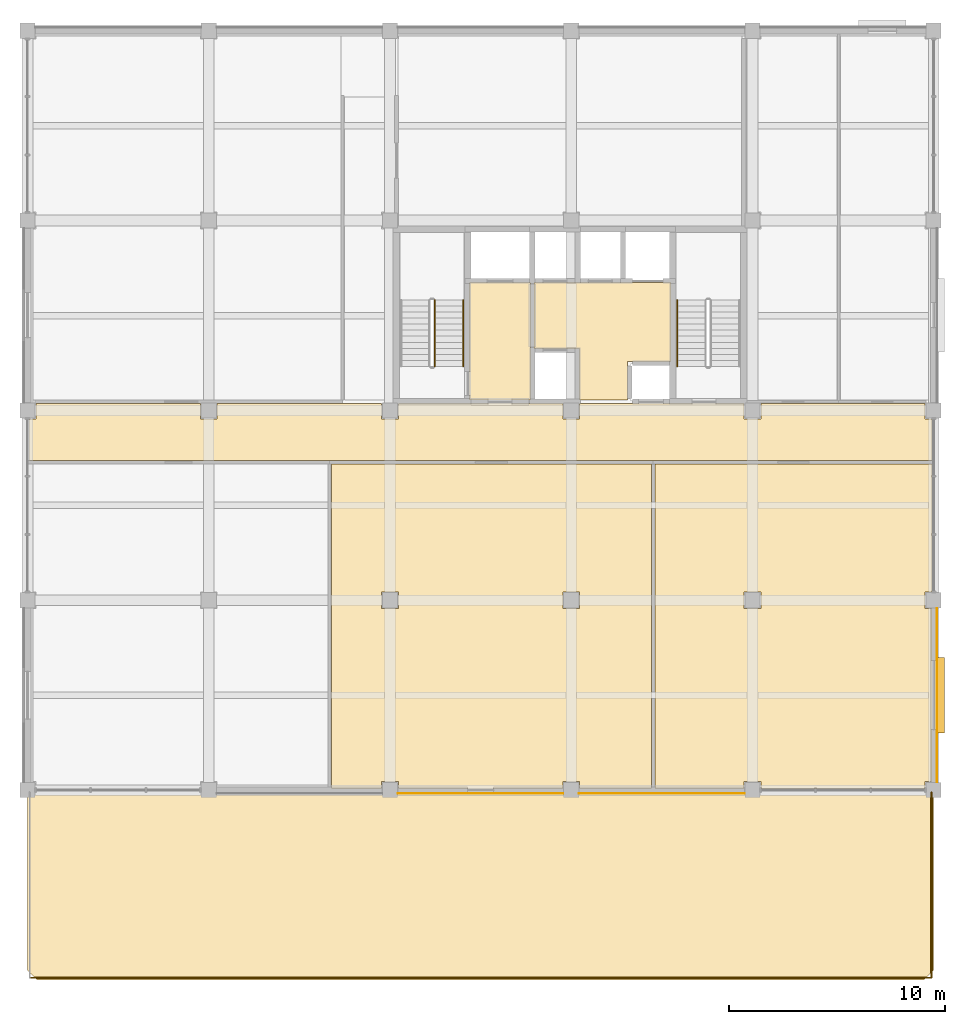
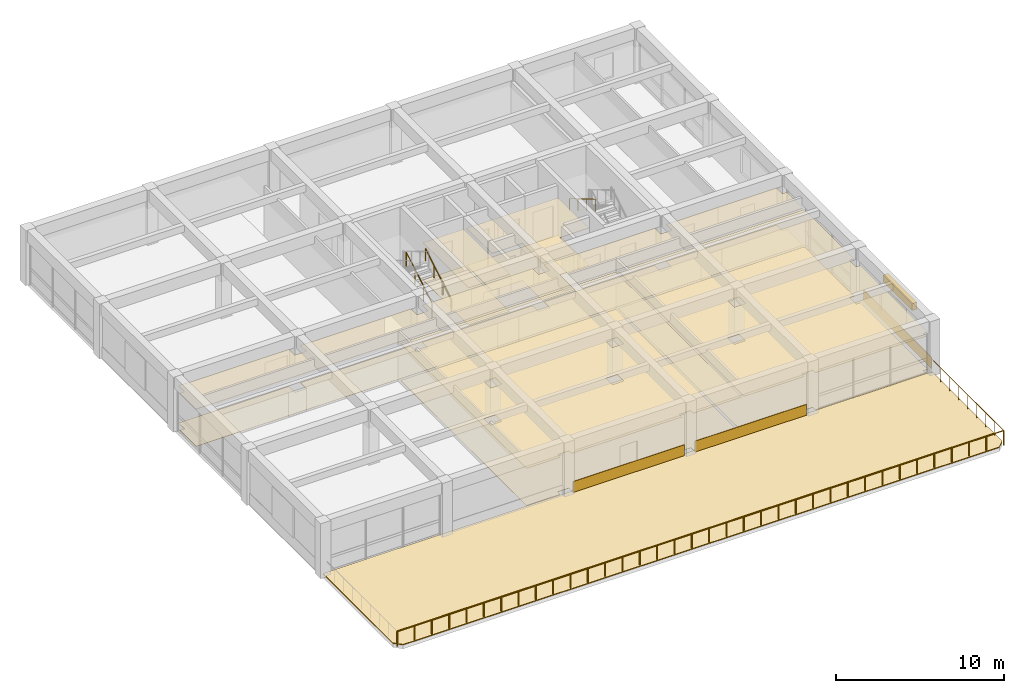
# One storey, part 7 of 8: 14 coverings, 5 railings, 1 shading device.
"""IFC4 building model written with IfcOpenShell, lengths in metres."""

from ifc_helpers import new_model, si_unit, direction, frame, origin, origin_2d, place, context, subcontext, project, spatial, polyline, rectangle, circle, outline, extrude, material, layer, layer_set, type_object, element, save


model = new_model("IFC4")

# Units and contexts
model_context = context("Model", 3, precision=1e-05, world=origin(), true_north=direction((0.0, 1.0)))
body_context = subcontext(model_context, "Body", "Model", "MODEL_VIEW")
ifc_project = project(units=[si_unit("LENGTHUNIT", "METRE"), si_unit("AREAUNIT", "SQUARE_METRE"), si_unit("VOLUMEUNIT", "CUBIC_METRE"), si_unit("PLANEANGLEUNIT", "RADIAN"), si_unit("MASSUNIT", "GRAM", prefix="KILO")], contexts=[model_context])

# Site, building, storey
site_placement = place(None, origin())
site = spatial("IfcSite", under=ifc_project, at=site_placement, CompositionType="ELEMENT")
building_placement = place(site_placement, origin())
building = spatial("IfcBuilding", under=site, at=building_placement, Name="Kemercrest Conservatory and Botanical Centre", CompositionType="ELEMENT")
storey_placement = place(building_placement, frame((0.0, 0.0, 24.800048828125)))
storey = spatial("IfcBuildingStorey", under=building, at=storey_placement, Name="L06", CompositionType="ELEMENT", Elevation=24.800048828125)

# Coverings
ifc_material_1 = material(Name="Glazed turquoise ceramic tile spandrel", Category="masonry")
ifc_layer_1 = layer(ifc_material_1, 0.028076171875)
ifc_layer_set_1 = layer_set([ifc_layer_1], Name="Glazed turquoise ceramic tile spandrel")
covering_type_1 = type_object("IfcCoveringType", Name="CV-CLD028", PredefinedType="CLADDING", material=ifc_layer_set_1)
covering_1_placement = place(storey_placement, origin())
element("IfcCovering", 1, at=covering_1_placement, inside=storey, type_object=covering_type_1, Name="Exterior stone spandrel cladding (WAL:L06:EXT-251)", PredefinedType="CLADDING", context=body_context, shape_type="SweptSolid", body=[
    extrude(outline(polyline([(151.159912109375, 87.050048828125), (151.159912109375, 87.02197265625), (158.840087890625, 87.02197265625), (158.840087890625, 87.050048828125), (151.159912109375, 87.050048828125)])), origin(), (0.0, 0.0, 1.0), 0.849853515625),
])
covering_2_placement = place(storey_placement, origin())
element("IfcCovering", 2, at=covering_2_placement, inside=storey, type_object=covering_type_1, Name="Exterior stone spandrel cladding (WAL:L06:EXT-252)", PredefinedType="CLADDING", context=body_context, shape_type="SweptSolid", body=[
    extrude(outline(polyline([(159.56005859375, 87.050048828125), (159.56005859375, 87.02197265625), (167.239990234375, 87.02197265625), (167.239990234375, 87.050048828125), (159.56005859375, 87.050048828125)])), origin(), (0.0, 0.0, 1.0), 0.849853515625),
])
covering_3_placement = place(storey_placement, origin())
element("IfcCovering", 3, at=covering_3_placement, inside=storey, type_object=covering_type_1, Name="Exterior stone spandrel cladding (WAL:L06:EXT-253)", PredefinedType="CLADDING", context=body_context, shape_type="SweptSolid", body=[
    extrude(outline(polyline([(176.14990234375, 87.56005859375), (176.177978515625, 87.56005859375), (176.177978515625, 95.639892578125), (176.14990234375, 95.639892578125), (176.14990234375, 87.56005859375)])), origin(), (0.0, 0.0, 1.0), 0.849853515625),
])
ifc_material_2 = material(Name="Perforated acoustic gypsum and mineral-fibre suspended ceiling", Category="gypsum")
ifc_layer_2 = layer(ifc_material_2, 0.034912109375)
ifc_layer_set_2 = layer_set([ifc_layer_2], Name="Perforated acoustic gypsum and mineral-fibre suspended ceiling")
covering_type_2 = type_object("IfcCoveringType", Name="CV-CLG035", PredefinedType="CEILING", material=ifc_layer_set_2)
covering_4_placement = place(storey_placement, frame((0.0, 0.0, 2.699951171875)))
element("IfcCovering", 4, at=covering_4_placement, inside=storey, type_object=covering_type_2, Name="Firefighting Lobby suspended acoustic ceiling", PredefinedType="CEILING", context=body_context, shape_type="SweptSolid", body=[
    extrude(outline(polyline([(154.47998046875, 105.280029296875), (157.320068359375, 105.280029296875), (157.320068359375, 110.719970703125), (154.47998046875, 110.719970703125), (154.47998046875, 105.280029296875)])), origin(), (0.0, 0.0, 1.0), 0.034912109375),
])
covering_5_placement = place(storey_placement, frame((0.0, 0.0, 2.699951171875)))
element("IfcCovering", 5, at=covering_5_placement, inside=storey, type_object=covering_type_2, Name="Tower Lift Lobby suspended acoustic ceiling", PredefinedType="CEILING", context=body_context, shape_type="SweptSolid", body=[
    extrude(outline(polyline([(159.580078125, 107.679931640625), (159.580078125, 105.280029296875), (161.820068359375, 105.280029296875), (161.820068359375, 107.080078125), (163.820068359375, 107.080078125), (163.820068359375, 110.719970703125), (157.47998046875, 110.719970703125), (157.47998046875, 107.679931640625), (159.580078125, 107.679931640625)])), origin(), (0.0, 0.0, 1.0), 0.034912109375),
])
covering_6_placement = place(storey_placement, frame((0.0, 0.0, 2.699951171875)))
element("IfcCovering", 6, at=covering_6_placement, inside=storey, type_object=covering_type_2, Name="Herbarium Intake Corridor suspended acoustic ceiling", PredefinedType="CEILING", context=body_context, shape_type="SweptSolid", body=[
    extrude(outline(polyline([(134.080078125, 102.47998046875), (175.919921875, 102.47998046875), (175.919921875, 104.409912109375), (175.610107421875, 104.409912109375), (175.610107421875, 105.1201171875), (167.989990234375, 105.1201171875), (167.989990234375, 104.409912109375), (167.2099609375, 104.409912109375), (167.2099609375, 105.1201171875), (159.590087890625, 105.1201171875), (159.590087890625, 104.409912109375), (158.81005859375, 104.409912109375), (158.81005859375, 105.1201171875), (151.18994140625, 105.1201171875), (151.18994140625, 104.409912109375), (150.409912109375, 104.409912109375), (150.409912109375, 105.1201171875), (142.7900390625, 105.1201171875), (142.7900390625, 104.409912109375), (142.010009765625, 104.409912109375), (142.010009765625, 105.1201171875), (134.389892578125, 105.1201171875), (134.389892578125, 104.409912109375), (134.080078125, 104.409912109375), (134.080078125, 102.47998046875)])), origin(), (0.0, 0.0, 1.0), 0.034912109375),
])
covering_7_placement = place(storey_placement, frame((0.0, 0.0, 2.699951171875)))
element("IfcCovering", 7, at=covering_7_placement, inside=storey, type_object=covering_type_2, Name="Rare Botanical Folio Library suspended acoustic ceiling", PredefinedType="CEILING", context=body_context, shape_type="SweptSolid", body=[
    extrude(outline(polyline([(158.81005859375, 87.590087890625), (159.590087890625, 87.590087890625), (159.590087890625, 87.280029296875), (162.919921875, 87.280029296875), (162.919921875, 102.320068359375), (148.080078125, 102.320068359375), (148.080078125, 87.280029296875), (150.409912109375, 87.280029296875), (150.409912109375, 87.590087890625), (151.18994140625, 87.590087890625), (151.18994140625, 87.280029296875), (158.81005859375, 87.280029296875), (158.81005859375, 87.590087890625)]), holes=[polyline([(158.81005859375, 96.389892578125), (159.590087890625, 96.389892578125), (159.590087890625, 95.610107421875), (158.81005859375, 95.610107421875), (158.81005859375, 96.389892578125)]), polyline([(150.409912109375, 96.389892578125), (151.18994140625, 96.389892578125), (151.18994140625, 95.610107421875), (150.409912109375, 95.610107421875), (150.409912109375, 96.389892578125)])]), origin(), (0.0, 0.0, 1.0), 0.034912109375),
])
covering_8_placement = place(storey_placement, frame((0.0, 0.0, 2.699951171875)))
element("IfcCovering", 8, at=covering_8_placement, inside=storey, type_object=covering_type_2, Name="Herbarium Specimen Mounting Laboratory suspended acoustic ceiling", PredefinedType="CEILING", context=body_context, shape_type="SweptSolid", body=[
    extrude(outline(polyline([(167.2099609375, 87.590087890625), (167.989990234375, 87.590087890625), (167.989990234375, 87.280029296875), (175.610107421875, 87.280029296875), (175.610107421875, 87.590087890625), (175.919921875, 87.590087890625), (175.919921875, 95.610107421875), (175.610107421875, 95.610107421875), (175.610107421875, 96.389892578125), (175.919921875, 96.389892578125), (175.919921875, 102.320068359375), (163.080078125, 102.320068359375), (163.080078125, 87.280029296875), (167.2099609375, 87.280029296875), (167.2099609375, 87.590087890625)]), holes=[polyline([(167.2099609375, 96.389892578125), (167.989990234375, 96.389892578125), (167.989990234375, 95.610107421875), (167.2099609375, 95.610107421875), (167.2099609375, 96.389892578125)])]), origin(), (0.0, 0.0, 1.0), 0.034912109375),
])
ifc_material_3 = material(Name="Polished limestone terrazzo and seamless laboratory epoxy flooring", Category="masonry")
ifc_layer_3 = layer(ifc_material_3, 0.02001953125)
ifc_layer_set_3 = layer_set([ifc_layer_3], Name="Polished limestone terrazzo and seamless laboratory epoxy flooring")
covering_type_3 = type_object("IfcCoveringType", Name="CV-FLR020", PredefinedType="FLOORING", material=ifc_layer_set_3)
covering_9_placement = place(storey_placement, origin())
element("IfcCovering", 9, at=covering_9_placement, inside=storey, type_object=covering_type_3, Name="Firefighting Lobby floor finish", PredefinedType="FLOORING", context=body_context, shape_type="SweptSolid", body=[
    extrude(outline(polyline([(154.47998046875, 105.280029296875), (157.320068359375, 105.280029296875), (157.320068359375, 110.719970703125), (154.47998046875, 110.719970703125), (154.47998046875, 105.280029296875)])), origin(), (0.0, 0.0, 1.0), 0.02001953125),
])
covering_10_placement = place(storey_placement, origin())
element("IfcCovering", 10, at=covering_10_placement, inside=storey, type_object=covering_type_3, Name="Tower Lift Lobby floor finish", PredefinedType="FLOORING", context=body_context, shape_type="SweptSolid", body=[
    extrude(outline(polyline([(159.580078125, 107.679931640625), (159.580078125, 105.280029296875), (161.820068359375, 105.280029296875), (161.820068359375, 107.080078125), (163.820068359375, 107.080078125), (163.820068359375, 110.719970703125), (157.47998046875, 110.719970703125), (157.47998046875, 107.679931640625), (159.580078125, 107.679931640625)])), origin(), (0.0, 0.0, 1.0), 0.02001953125),
])
covering_11_placement = place(storey_placement, origin())
element("IfcCovering", 11, at=covering_11_placement, inside=storey, type_object=covering_type_3, Name="Herbarium Intake Corridor floor finish", PredefinedType="FLOORING", context=body_context, shape_type="SweptSolid", body=[
    extrude(outline(polyline([(134.080078125, 102.47998046875), (175.919921875, 102.47998046875), (175.919921875, 104.409912109375), (175.610107421875, 104.409912109375), (175.610107421875, 105.1201171875), (167.989990234375, 105.1201171875), (167.989990234375, 104.409912109375), (167.2099609375, 104.409912109375), (167.2099609375, 105.1201171875), (159.590087890625, 105.1201171875), (159.590087890625, 104.409912109375), (158.81005859375, 104.409912109375), (158.81005859375, 105.1201171875), (151.18994140625, 105.1201171875), (151.18994140625, 104.409912109375), (150.409912109375, 104.409912109375), (150.409912109375, 105.1201171875), (142.7900390625, 105.1201171875), (142.7900390625, 104.409912109375), (142.010009765625, 104.409912109375), (142.010009765625, 105.1201171875), (134.389892578125, 105.1201171875), (134.389892578125, 104.409912109375), (134.080078125, 104.409912109375), (134.080078125, 102.47998046875)])), origin(), (0.0, 0.0, 1.0), 0.02001953125),
])
covering_12_placement = place(storey_placement, origin())
element("IfcCovering", 12, at=covering_12_placement, inside=storey, type_object=covering_type_3, Name="Rare Botanical Folio Library floor finish", PredefinedType="FLOORING", context=body_context, shape_type="SweptSolid", body=[
    extrude(outline(polyline([(158.81005859375, 87.590087890625), (159.590087890625, 87.590087890625), (159.590087890625, 87.280029296875), (162.919921875, 87.280029296875), (162.919921875, 102.320068359375), (148.080078125, 102.320068359375), (148.080078125, 87.280029296875), (150.409912109375, 87.280029296875), (150.409912109375, 87.590087890625), (151.18994140625, 87.590087890625), (151.18994140625, 87.280029296875), (158.81005859375, 87.280029296875), (158.81005859375, 87.590087890625)]), holes=[polyline([(158.81005859375, 96.389892578125), (159.590087890625, 96.389892578125), (159.590087890625, 95.610107421875), (158.81005859375, 95.610107421875), (158.81005859375, 96.389892578125)]), polyline([(150.409912109375, 96.389892578125), (151.18994140625, 96.389892578125), (151.18994140625, 95.610107421875), (150.409912109375, 95.610107421875), (150.409912109375, 96.389892578125)])]), origin(), (0.0, 0.0, 1.0), 0.02001953125),
])
covering_13_placement = place(storey_placement, origin())
element("IfcCovering", 13, at=covering_13_placement, inside=storey, type_object=covering_type_3, Name="Herbarium Specimen Mounting Laboratory floor finish", PredefinedType="FLOORING", context=body_context, shape_type="SweptSolid", body=[
    extrude(outline(polyline([(167.2099609375, 87.590087890625), (167.989990234375, 87.590087890625), (167.989990234375, 87.280029296875), (175.610107421875, 87.280029296875), (175.610107421875, 87.590087890625), (175.919921875, 87.590087890625), (175.919921875, 95.610107421875), (175.610107421875, 95.610107421875), (175.610107421875, 96.389892578125), (175.919921875, 96.389892578125), (175.919921875, 102.320068359375), (163.080078125, 102.320068359375), (163.080078125, 87.280029296875), (167.2099609375, 87.280029296875), (167.2099609375, 87.590087890625)]), holes=[polyline([(167.2099609375, 96.389892578125), (167.989990234375, 96.389892578125), (167.989990234375, 95.610107421875), (167.2099609375, 95.610107421875), (167.2099609375, 96.389892578125)])]), origin(), (0.0, 0.0, 1.0), 0.02001953125),
])
ifc_material_4 = material(Name="SBS modified bitumen insulated roofing membrane", Category="roofing")
ifc_layer_4 = layer(ifc_material_4, 0.06005859375)
ifc_layer_set_4 = layer_set([ifc_layer_4], Name="SBS modified bitumen insulated roofing membrane")
covering_type_4 = type_object("IfcCoveringType", Name="CV-RFG060", PredefinedType="ROOFING", material=ifc_layer_set_4)
covering_14_placement = place(storey_placement, origin())
element("IfcCovering", 14, at=covering_14_placement, inside=storey, type_object=covering_type_4, Name="Insulated roof membrane covering (V4 L06 Herbarium Harbour Setback Terrace)", PredefinedType="ROOFING", context=body_context, shape_type="SweptSolid", body=[
    extrude(outline(polyline([(134.449951171875, 78.39990234375), (175.550048828125, 78.39990234375), (176.0, 78.85009765625), (176.0, 87.199951171875), (134.0, 87.199951171875), (134.0, 78.85009765625), (134.449951171875, 78.39990234375)])), origin(), (0.0, 0.0, 1.0), 0.06005859375),
])

# Railings
ifc_material_5 = material(Name="Painted galvanized steel tubular stair guardrail", Category="steel")
railing_type_1 = type_object("IfcRailingType", Name="GR-STR110", PredefinedType="GUARDRAIL", material=ifc_material_5)
railing_1_placement = place(storey_placement, frame((152.8701171875, 106.840087890625, 0.16650390625)))
element("IfcRailing", 15, at=railing_1_placement, inside=storey, type_object=railing_type_1, Name="L06 ST-V4A stair guard 1", PredefinedType="GUARDRAIL", context=body_context, shape_type="SweptSolid", body=[
    extrude(circle(Radius=0.02392578125, at=origin_2d()), frame((0.0, 0.0, 1.076171875), z_axis=(0.0, 0.859260807169, 0.511537745687), x_axis=(-1.0, 0.0, 0.0)), (0.0, 0.0, 1.0), 3.584228515625),
    extrude(circle(Radius=0.02099609375, at=origin_2d()), origin(), (0.0, 0.0, 1.0), 1.052001953125),
    extrude(circle(Radius=0.02099609375, at=origin_2d()), frame((0.0, 1.026611328125, 0.611083984375)), (0.0, 0.0, 1.0), 1.052001953125),
    extrude(circle(Radius=0.02099609375, at=origin_2d()), frame((0.0, 2.05322265625, 1.222412109375)), (0.0, 0.0, 1.0), 1.052001953125),
    extrude(circle(Radius=0.02099609375, at=origin_2d()), frame((0.0, 3.079833984375, 1.83349609375)), (0.0, 0.0, 1.0), 1.052001953125),
])
ifc_material_6 = material(Name="Architectural bronze-anodized steel balustrade", Category="steel")
railing_type_2 = type_object("IfcRailingType", Name="GR-TER110", PredefinedType="GUARDRAIL", material=ifc_material_6)
railing_2_placement = place(storey_placement, frame((134.10009765625, 78.5, 0.0)))
element("IfcRailing", 16, at=railing_2_placement, inside=storey, type_object=railing_type_2, Name="Safety guardrail GR-TER110 (V4-L06S-2)", PredefinedType="GUARDRAIL", context=body_context, shape_type="SweptSolid", body=[
    extrude(circle(Radius=0.02392578125, at=origin_2d()), frame((0.0, 0.0, 1.076171875), z_axis=(1.0, 0.0, 0.0), x_axis=(0.0, 1.0, 0.0)), (0.0, 0.0, 1.0), 41.7998046875),
    extrude(circle(Radius=0.02099609375, at=origin_2d()), origin(), (0.0, 0.0, 1.0), 1.052001953125),
    extrude(circle(Radius=0.02099609375, at=origin_2d()), frame((1.1943359375, 0.0, 0.0)), (0.0, 0.0, 1.0), 1.052001953125),
    extrude(circle(Radius=0.02099609375, at=origin_2d()), frame((2.388671875, 0.0, 0.0)), (0.0, 0.0, 1.0), 1.052001953125),
    extrude(circle(Radius=0.02099609375, at=origin_2d()), frame((3.582763671875, 0.0, 0.0)), (0.0, 0.0, 1.0), 1.052001953125),
    extrude(circle(Radius=0.02099609375, at=origin_2d()), frame((4.777099609375, 0.0, 0.0)), (0.0, 0.0, 1.0), 1.052001953125),
    extrude(circle(Radius=0.02099609375, at=origin_2d()), frame((5.971435546875, 0.0, 0.0)), (0.0, 0.0, 1.0), 1.052001953125),
    extrude(circle(Radius=0.02099609375, at=origin_2d()), frame((7.165771484375, 0.0, 0.0)), (0.0, 0.0, 1.0), 1.052001953125),
    extrude(circle(Radius=0.02099609375, at=origin_2d()), frame((8.35986328125, 0.0, 0.0)), (0.0, 0.0, 1.0), 1.052001953125),
    extrude(circle(Radius=0.02099609375, at=origin_2d()), frame((9.55419921875, 0.0, 0.0)), (0.0, 0.0, 1.0), 1.052001953125),
    extrude(circle(Radius=0.02099609375, at=origin_2d()), frame((10.74853515625, 0.0, 0.0)), (0.0, 0.0, 1.0), 1.052001953125),
    extrude(circle(Radius=0.02099609375, at=origin_2d()), frame((11.94287109375, 0.0, 0.0)), (0.0, 0.0, 1.0), 1.052001953125),
    extrude(circle(Radius=0.02099609375, at=origin_2d()), frame((13.136962890625, 0.0, 0.0)), (0.0, 0.0, 1.0), 1.052001953125),
    extrude(circle(Radius=0.02099609375, at=origin_2d()), frame((14.331298828125, 0.0, 0.0)), (0.0, 0.0, 1.0), 1.052001953125),
    extrude(circle(Radius=0.02099609375, at=origin_2d()), frame((15.525634765625, 0.0, 0.0)), (0.0, 0.0, 1.0), 1.052001953125),
    extrude(circle(Radius=0.02099609375, at=origin_2d()), frame((16.719970703125, 0.0, 0.0)), (0.0, 0.0, 1.0), 1.052001953125),
    extrude(circle(Radius=0.02099609375, at=origin_2d()), frame((17.914306640625, 0.0, 0.0)), (0.0, 0.0, 1.0), 1.052001953125),
    extrude(circle(Radius=0.02099609375, at=origin_2d()), frame((19.1083984375, 0.0, 0.0)), (0.0, 0.0, 1.0), 1.052001953125),
    extrude(circle(Radius=0.02099609375, at=origin_2d()), frame((20.302734375, 0.0, 0.0)), (0.0, 0.0, 1.0), 1.052001953125),
    extrude(circle(Radius=0.02099609375, at=origin_2d()), frame((21.4970703125, 0.0, 0.0)), (0.0, 0.0, 1.0), 1.052001953125),
    extrude(circle(Radius=0.02099609375, at=origin_2d()), frame((22.69140625, 0.0, 0.0)), (0.0, 0.0, 1.0), 1.052001953125),
    extrude(circle(Radius=0.02099609375, at=origin_2d()), frame((23.885498046875, 0.0, 0.0)), (0.0, 0.0, 1.0), 1.052001953125),
    extrude(circle(Radius=0.02099609375, at=origin_2d()), frame((25.079833984375, 0.0, 0.0)), (0.0, 0.0, 1.0), 1.052001953125),
    extrude(circle(Radius=0.02099609375, at=origin_2d()), frame((26.274169921875, 0.0, 0.0)), (0.0, 0.0, 1.0), 1.052001953125),
    extrude(circle(Radius=0.02099609375, at=origin_2d()), frame((27.468505859375, 0.0, 0.0)), (0.0, 0.0, 1.0), 1.052001953125),
    extrude(circle(Radius=0.02099609375, at=origin_2d()), frame((28.662841796875, 0.0, 0.0)), (0.0, 0.0, 1.0), 1.052001953125),
    extrude(circle(Radius=0.02099609375, at=origin_2d()), frame((29.85693359375, 0.0, 0.0)), (0.0, 0.0, 1.0), 1.052001953125),
    extrude(circle(Radius=0.02099609375, at=origin_2d()), frame((31.05126953125, 0.0, 0.0)), (0.0, 0.0, 1.0), 1.052001953125),
    extrude(circle(Radius=0.02099609375, at=origin_2d()), frame((32.24560546875, 0.0, 0.0)), (0.0, 0.0, 1.0), 1.052001953125),
    extrude(circle(Radius=0.02099609375, at=origin_2d()), frame((33.43994140625, 0.0, 0.0)), (0.0, 0.0, 1.0), 1.052001953125),
    extrude(circle(Radius=0.02099609375, at=origin_2d()), frame((34.634033203125, 0.0, 0.0)), (0.0, 0.0, 1.0), 1.052001953125),
    extrude(circle(Radius=0.02099609375, at=origin_2d()), frame((35.828369140625, 0.0, 0.0)), (0.0, 0.0, 1.0), 1.052001953125),
    extrude(circle(Radius=0.02099609375, at=origin_2d()), frame((37.022705078125, 0.0, 0.0)), (0.0, 0.0, 1.0), 1.052001953125),
    extrude(circle(Radius=0.02099609375, at=origin_2d()), frame((38.217041015625, 0.0, 0.0)), (0.0, 0.0, 1.0), 1.052001953125),
    extrude(circle(Radius=0.02099609375, at=origin_2d()), frame((39.4111328125, 0.0, 0.0)), (0.0, 0.0, 1.0), 1.052001953125),
    extrude(circle(Radius=0.02099609375, at=origin_2d()), frame((40.60546875, 0.0, 0.0)), (0.0, 0.0, 1.0), 1.052001953125),
    extrude(circle(Radius=0.02099609375, at=origin_2d()), frame((41.7998046875, 0.0, 0.0)), (0.0, 0.0, 1.0), 1.052001953125),
])
railing_3_placement = place(storey_placement, frame((175.89990234375, 78.5, 0.0)))
element("IfcRailing", 17, at=railing_3_placement, inside=storey, type_object=railing_type_2, Name="Safety guardrail GR-TER110 (V4-L06S-3)", PredefinedType="GUARDRAIL", context=body_context, shape_type="SweptSolid", body=[
    extrude(circle(Radius=0.02392578125, at=origin_2d()), frame((0.0, 0.0, 1.076171875), z_axis=(0.0, 1.0, 0.0), x_axis=(-1.0, 0.0, 0.0)), (0.0, 0.0, 1.0), 8.60009765625),
    extrude(circle(Radius=0.02099609375, at=origin_2d()), origin(), (0.0, 0.0, 1.0), 1.052001953125),
    extrude(circle(Radius=0.02099609375, at=origin_2d()), frame((0.0, 1.074951171875, 0.0)), (0.0, 0.0, 1.0), 1.052001953125),
    extrude(circle(Radius=0.02099609375, at=origin_2d()), frame((0.0, 2.14990234375, 0.0)), (0.0, 0.0, 1.0), 1.052001953125),
    extrude(circle(Radius=0.02099609375, at=origin_2d()), frame((0.0, 3.22509765625, 0.0)), (0.0, 0.0, 1.0), 1.052001953125),
    extrude(circle(Radius=0.02099609375, at=origin_2d()), frame((0.0, 4.300048828125, 0.0)), (0.0, 0.0, 1.0), 1.052001953125),
    extrude(circle(Radius=0.02099609375, at=origin_2d()), frame((0.0, 5.375, 0.0)), (0.0, 0.0, 1.0), 1.052001953125),
    extrude(circle(Radius=0.02099609375, at=origin_2d()), frame((0.0, 6.4501953125, 0.0)), (0.0, 0.0, 1.0), 1.052001953125),
    extrude(circle(Radius=0.02099609375, at=origin_2d()), frame((0.0, 7.525146484375, 0.0)), (0.0, 0.0, 1.0), 1.052001953125),
    extrude(circle(Radius=0.02099609375, at=origin_2d()), frame((0.0, 8.60009765625, 0.0)), (0.0, 0.0, 1.0), 1.052001953125),
])
ifc_material_7 = material(Name="Brushed stainless steel wall-mounted handrail", Category="steel")
railing_type_3 = type_object("IfcRailingType", Name="HR-STR090", PredefinedType="HANDRAIL", material=ifc_material_7)
railing_4_placement = place(storey_placement, frame((154.18994140625, 106.840087890625, 0.16650390625)))
element("IfcRailing", 18, at=railing_4_placement, inside=storey, type_object=railing_type_3, Name="L06 ST-V4A stair handrail 1", PredefinedType="HANDRAIL", context=body_context, shape_type="SweptSolid", body=[
    extrude(circle(Radius=0.02392578125, at=origin_2d()), frame((0.0, 0.0, 0.8759765625), z_axis=(0.0, 0.859260807169, 0.511537745687), x_axis=(-1.0, 0.0, 0.0)), (0.0, 0.0, 1.0), 3.584228515625),
    extrude(circle(Radius=0.02099609375, at=origin_2d()), origin(), (0.0, 0.0, 1.0), 0.851806640625),
    extrude(circle(Radius=0.02099609375, at=origin_2d()), frame((0.0, 1.026611328125, 0.611083984375)), (0.0, 0.0, 1.0), 0.851806640625),
    extrude(circle(Radius=0.02099609375, at=origin_2d()), frame((0.0, 2.05322265625, 1.222412109375)), (0.0, 0.0, 1.0), 0.851806640625),
    extrude(circle(Radius=0.02099609375, at=origin_2d()), frame((0.0, 3.079833984375, 1.83349609375)), (0.0, 0.0, 1.0), 0.851806640625),
])
railing_5_placement = place(storey_placement, frame((164.110107421875, 109.919921875, 2.16650390625)))
element("IfcRailing", 19, at=railing_5_placement, inside=storey, type_object=railing_type_3, Name="L06 ST-V4B stair handrail 2", PredefinedType="HANDRAIL", context=body_context, shape_type="SweptSolid", body=[
    extrude(circle(Radius=0.02392578125, at=origin_2d()), frame((0.0, 0.0, 0.8759765625), z_axis=(0.0, -0.859260807169, 0.511537745687), x_axis=(1.0, 0.0, 0.0)), (0.0, 0.0, 1.0), 3.584228515625),
    extrude(circle(Radius=0.02099609375, at=origin_2d()), origin(), (0.0, 0.0, 1.0), 0.851806640625),
    extrude(circle(Radius=0.02099609375, at=origin_2d()), frame((0.0, -1.026611328125, 0.611083984375)), (0.0, 0.0, 1.0), 0.851806640625),
    extrude(circle(Radius=0.02099609375, at=origin_2d()), frame((0.0, -2.05322265625, 1.222412109375)), (0.0, 0.0, 1.0), 0.851806640625),
    extrude(circle(Radius=0.02099609375, at=origin_2d()), frame((0.0, -3.079833984375, 1.83349609375)), (0.0, 0.0, 1.0), 0.851806640625),
])

# Shading device
ifc_material_8 = material(Name="Architectural bronze-anodized extruded aluminium", Category="aluminium")
shading_device_type = type_object("IfcShadingDeviceType", Name="SH-JL04", PredefinedType="JALOUSIE", material=ifc_material_8)
shading_device_placement = place(storey_placement, frame((176.322998046875, 91.60009765625, 2.829833984375), z_axis=(0.0, 0.0, 1.0), x_axis=(0.0, 1.0, 0.0)))
element("IfcShadingDevice", 20, at=shading_device_placement, inside=storey, type_object=shading_device_type, Name="Solar control louvre visor SH-JL04 (WIN:L06:EXT-253)", PredefinedType="JALOUSIE", context=body_context, shape_type="SweptSolid", body=[
    extrude(rectangle(XDim=3.47998046875, YDim=0.35009765625, at=origin_2d()), origin(), (0.0, 0.0, 1.0), 0.5),
])

save(model, "model.ifc")
